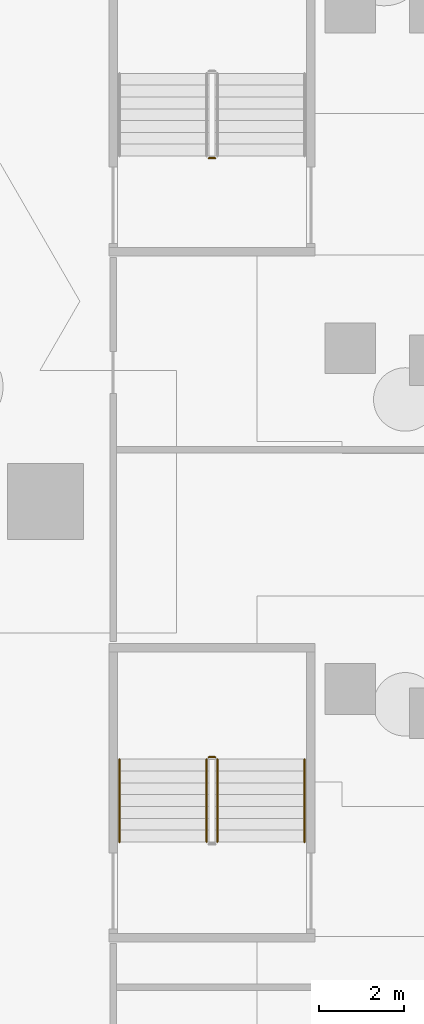
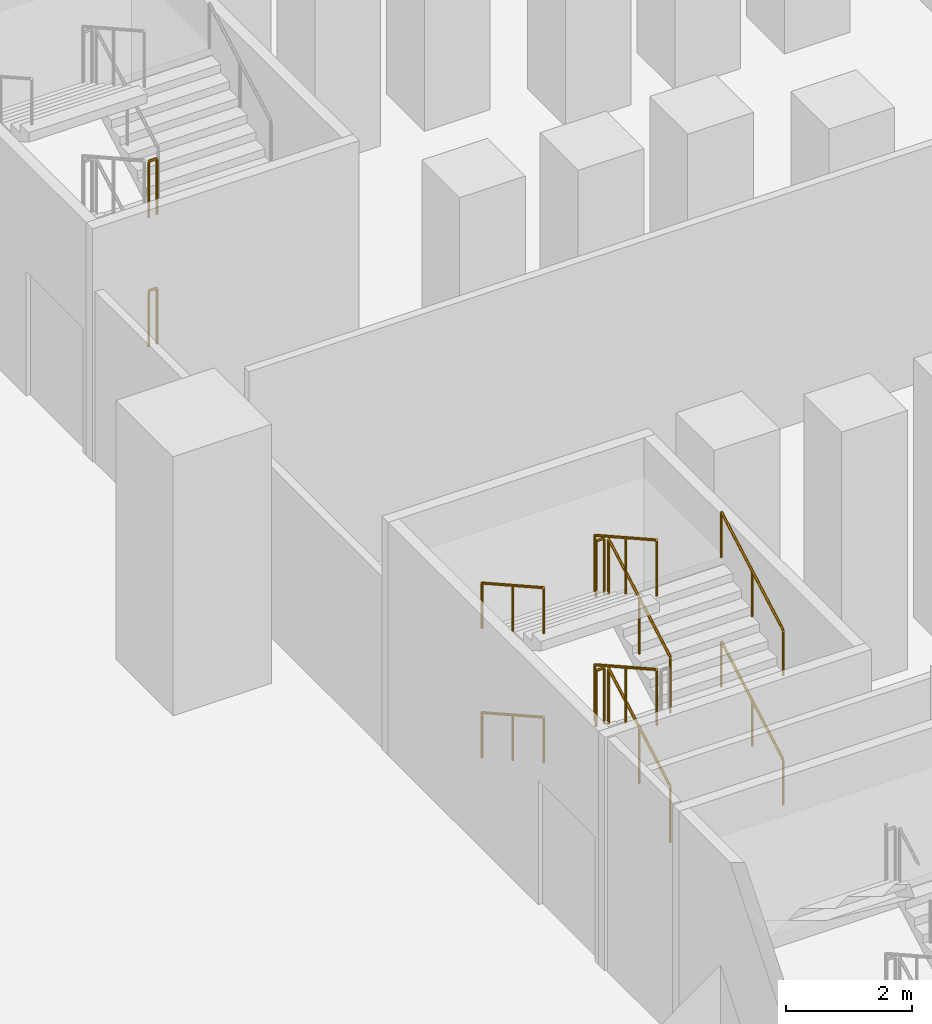
# One storey, part 24 of 27: 12 railings.
"""IFC4 building model written with IfcOpenShell, lengths in metres."""

from ifc_helpers import new_model, si_unit, direction, frame, origin, origin_2d, place, context, subcontext, project, spatial, circle, extrude, material, type_object, element, save


model = new_model("IFC4")

# Units and contexts
model_context = context("Model", 3, precision=1e-05, world=origin(), true_north=direction((0.0, 1.0)))
body_context = subcontext(model_context, "Body", "Model", "MODEL_VIEW")
ifc_project = project(units=[si_unit("LENGTHUNIT", "METRE"), si_unit("AREAUNIT", "SQUARE_METRE"), si_unit("VOLUMEUNIT", "CUBIC_METRE"), si_unit("PLANEANGLEUNIT", "RADIAN"), si_unit("MASSUNIT", "GRAM", prefix="KILO")], contexts=[model_context])

# Site, building, storey
site_placement = place(None, origin())
site = spatial("IfcSite", under=ifc_project, at=site_placement, CompositionType="ELEMENT")
building_placement = place(site_placement, origin())
building = spatial("IfcBuilding", under=site, at=building_placement, Name="Calabash Gate Tower", CompositionType="ELEMENT")
storey_placement = place(building_placement, frame((0.0, 0.0, -10.0)))
storey = spatial("IfcBuildingStorey", under=building, at=storey_placement, Name="B2", CompositionType="ELEMENT", Elevation=-10.0)

# Railings
ifc_material_1 = material(Name="Black powder-coated steel balusters", Category="steel")
railing_type_1 = type_object("IfcRailingType", Name="Stair guard RL1100", PredefinedType="GUARDRAIL", material=ifc_material_1)
railing_1_placement = place(storey_placement, frame((36.06005859375, -0.0400390625, 0.15625)))
element("IfcRailing", 1, at=railing_1_placement, inside=storey, type_object=railing_type_1, Name="B2 PS9 stair guard 1", PredefinedType="GUARDRAIL", context=body_context, shape_type="SweptSolid", body=[
    extrude(circle(Radius=0.02392578125, at=origin_2d()), frame((0.0, 0.0, 1.076171875), z_axis=(0.0, 0.87250601595, 0.488603368932), x_axis=(-1.0, 0.0, 0.0)), (0.0, 0.0, 1.0), 2.238525390625),
    extrude(circle(Radius=0.02099609375, at=origin_2d()), origin(), (0.0, 0.0, 1.0), 1.052001953125),
    extrude(circle(Radius=0.02099609375, at=origin_2d()), frame((0.0, 0.9765625, 0.546875)), (0.0, 0.0, 1.0), 1.052001953125),
    extrude(circle(Radius=0.02099609375, at=origin_2d()), frame((0.0, 1.953125, 1.09375)), (0.0, 0.0, 1.0), 1.052001953125),
])
railing_2_placement = place(storey_placement, frame((36.010009765625, 1.962890625, 1.25)))
element("IfcRailing", 2, at=railing_2_placement, inside=storey, type_object=railing_type_1, Name="B2 PS9 stair guard 2", PredefinedType="GUARDRAIL", context=body_context, shape_type="SweptSolid", body=[
    extrude(circle(Radius=0.02392578125, at=origin_2d()), frame((0.0, 0.0, 1.076171875), z_axis=(-1.0, 0.0, 0.0), x_axis=(0.0, -1.0, 0.0)), (0.0, 0.0, 1.0), 0.14990234375),
    extrude(circle(Radius=0.02099609375, at=origin_2d()), origin(), (0.0, 0.0, 1.0), 1.052001953125),
    extrude(circle(Radius=0.02099609375, at=origin_2d()), frame((-0.14990234375, 0.0, 0.0)), (0.0, 0.0, 1.0), 1.052001953125),
])
railing_3_placement = place(storey_placement, frame((35.81005859375, 1.9130859375, 1.40625)))
element("IfcRailing", 3, at=railing_3_placement, inside=storey, type_object=railing_type_1, Name="B2 PS9 stair guard 3", PredefinedType="GUARDRAIL", context=body_context, shape_type="SweptSolid", body=[
    extrude(circle(Radius=0.02392578125, at=origin_2d()), frame((0.0, 0.0, 1.076171875), z_axis=(0.0, -0.87250601595, 0.488603368932), x_axis=(1.0, 0.0, 0.0)), (0.0, 0.0, 1.0), 2.238525390625),
    extrude(circle(Radius=0.02099609375, at=origin_2d()), origin(), (0.0, 0.0, 1.0), 1.052001953125),
    extrude(circle(Radius=0.02099609375, at=origin_2d()), frame((0.0, -0.9765625, 0.546875)), (0.0, 0.0, 1.0), 1.052001953125),
    extrude(circle(Radius=0.02099609375, at=origin_2d()), frame((0.0, -1.953125, 1.09375)), (0.0, 0.0, 1.0), 1.052001953125),
])
railing_4_placement = place(storey_placement, frame((36.06005859375, -0.0400390625, 2.65625)))
element("IfcRailing", 4, at=railing_4_placement, inside=storey, type_object=railing_type_1, Name="B2 PS9 stair guard 5", PredefinedType="GUARDRAIL", context=body_context, shape_type="SweptSolid", body=[
    extrude(circle(Radius=0.02392578125, at=origin_2d()), frame((0.0, 0.0, 1.076171875), z_axis=(0.0, 0.87250601595, 0.488603368932), x_axis=(-1.0, 0.0, 0.0)), (0.0, 0.0, 1.0), 2.238525390625),
    extrude(circle(Radius=0.02099609375, at=origin_2d()), origin(), (0.0, 0.0, 1.0), 1.052001953125),
    extrude(circle(Radius=0.02099609375, at=origin_2d()), frame((0.0, 0.9765625, 0.546875)), (0.0, 0.0, 1.0), 1.052001953125),
    extrude(circle(Radius=0.02099609375, at=origin_2d()), frame((0.0, 1.953125, 1.09375)), (0.0, 0.0, 1.0), 1.052001953125),
])
railing_5_placement = place(storey_placement, frame((36.010009765625, 1.962890625, 3.75)))
element("IfcRailing", 5, at=railing_5_placement, inside=storey, type_object=railing_type_1, Name="B2 PS9 stair guard 6", PredefinedType="GUARDRAIL", context=body_context, shape_type="SweptSolid", body=[
    extrude(circle(Radius=0.02392578125, at=origin_2d()), frame((0.0, 0.0, 1.076171875), z_axis=(-1.0, 0.0, 0.0), x_axis=(0.0, -1.0, 0.0)), (0.0, 0.0, 1.0), 0.14990234375),
    extrude(circle(Radius=0.02099609375, at=origin_2d()), origin(), (0.0, 0.0, 1.0), 1.052001953125),
    extrude(circle(Radius=0.02099609375, at=origin_2d()), frame((-0.14990234375, 0.0, 0.0)), (0.0, 0.0, 1.0), 1.052001953125),
])
railing_6_placement = place(storey_placement, frame((35.81005859375, 1.9130859375, 3.90625)))
element("IfcRailing", 6, at=railing_6_placement, inside=storey, type_object=railing_type_1, Name="B2 PS9 stair guard 7", PredefinedType="GUARDRAIL", context=body_context, shape_type="SweptSolid", body=[
    extrude(circle(Radius=0.02392578125, at=origin_2d()), frame((0.0, 0.0, 1.076171875), z_axis=(0.0, -0.87250601595, 0.488603368932), x_axis=(1.0, 0.0, 0.0)), (0.0, 0.0, 1.0), 2.238525390625),
    extrude(circle(Radius=0.02099609375, at=origin_2d()), origin(), (0.0, 0.0, 1.0), 1.052001953125),
    extrude(circle(Radius=0.02099609375, at=origin_2d()), frame((0.0, -0.9765625, 0.546875)), (0.0, 0.0, 1.0), 1.052001953125),
    extrude(circle(Radius=0.02099609375, at=origin_2d()), frame((0.0, -1.953125, 1.09375)), (0.0, 0.0, 1.0), 1.052001953125),
])
for number, where, name in (
    (7, (36.010009765625, 16.110107421875, 2.5), "B2 PS10 stair guard 4"),
    (8, (36.010009765625, 16.110107421875, 0.0), "B2 PS10 stair guard 8"),
):
    element("IfcRailing", number, at=place(storey_placement, frame(where)), inside=storey, type_object=railing_type_1, Name=name, PredefinedType="GUARDRAIL", context=body_context, shape_type="SweptSolid", body=[
        extrude(circle(Radius=0.02392578125, at=origin_2d()), frame((0.0, 0.0, 1.076171875), z_axis=(-1.0, 0.0, 0.0), x_axis=(0.0, -1.0, 0.0)), (0.0, 0.0, 1.0), 0.14990234375),
        extrude(circle(Radius=0.02099609375, at=origin_2d()), origin(), (0.0, 0.0, 1.0), 1.052001953125),
        extrude(circle(Radius=0.02099609375, at=origin_2d()), frame((-0.14990234375, 0.0, 0.0)), (0.0, 0.0, 1.0), 1.052001953125),
    ])
ifc_material_2 = material(Name="Black powder-coated steel tube 48 mm", Category="steel")
railing_type_2 = type_object("IfcRailingType", Name="Stair handrail RL900", PredefinedType="HANDRAIL", material=ifc_material_2)
railing_7_placement = place(storey_placement, frame((38.1201171875, -0.0400390625, 0.15625)))
element("IfcRailing", 9, at=railing_7_placement, inside=storey, type_object=railing_type_2, Name="B2 PS9 stair handrail 1", PredefinedType="HANDRAIL", context=body_context, shape_type="SweptSolid", body=[
    extrude(circle(Radius=0.02392578125, at=origin_2d()), frame((0.0, 0.0, 0.8759765625), z_axis=(0.0, 0.87250601595, 0.488603368932), x_axis=(-1.0, 0.0, 0.0)), (0.0, 0.0, 1.0), 2.238525390625),
    extrude(circle(Radius=0.02099609375, at=origin_2d()), origin(), (0.0, 0.0, 1.0), 0.851806640625),
    extrude(circle(Radius=0.02099609375, at=origin_2d()), frame((0.0, 0.9765625, 0.546875)), (0.0, 0.0, 1.0), 0.851806640625),
    extrude(circle(Radius=0.02099609375, at=origin_2d()), frame((0.0, 1.953125, 1.09375)), (0.0, 0.0, 1.0), 0.851806640625),
])
railing_8_placement = place(storey_placement, frame((33.75, 1.9130859375, 1.40625)))
element("IfcRailing", 10, at=railing_8_placement, inside=storey, type_object=railing_type_2, Name="B2 PS9 stair handrail 2", PredefinedType="HANDRAIL", context=body_context, shape_type="SweptSolid", body=[
    extrude(circle(Radius=0.02392578125, at=origin_2d()), frame((0.0, 0.0, 0.8759765625), z_axis=(0.0, -0.87250601595, 0.488603368932), x_axis=(1.0, 0.0, 0.0)), (0.0, 0.0, 1.0), 2.238525390625),
    extrude(circle(Radius=0.02099609375, at=origin_2d()), origin(), (0.0, 0.0, 1.0), 0.851806640625),
    extrude(circle(Radius=0.02099609375, at=origin_2d()), frame((0.0, -0.9765625, 0.546875)), (0.0, 0.0, 1.0), 0.851806640625),
    extrude(circle(Radius=0.02099609375, at=origin_2d()), frame((0.0, -1.953125, 1.09375)), (0.0, 0.0, 1.0), 0.851806640625),
])
railing_9_placement = place(storey_placement, frame((38.1201171875, -0.0400390625, 2.65625)))
element("IfcRailing", 11, at=railing_9_placement, inside=storey, type_object=railing_type_2, Name="B2 PS9 stair handrail 3", PredefinedType="HANDRAIL", context=body_context, shape_type="SweptSolid", body=[
    extrude(circle(Radius=0.02392578125, at=origin_2d()), frame((0.0, 0.0, 0.8759765625), z_axis=(0.0, 0.87250601595, 0.488603368932), x_axis=(-1.0, 0.0, 0.0)), (0.0, 0.0, 1.0), 2.238525390625),
    extrude(circle(Radius=0.02099609375, at=origin_2d()), origin(), (0.0, 0.0, 1.0), 0.851806640625),
    extrude(circle(Radius=0.02099609375, at=origin_2d()), frame((0.0, 0.9765625, 0.546875)), (0.0, 0.0, 1.0), 0.851806640625),
    extrude(circle(Radius=0.02099609375, at=origin_2d()), frame((0.0, 1.953125, 1.09375)), (0.0, 0.0, 1.0), 0.851806640625),
])
railing_10_placement = place(storey_placement, frame((33.75, 1.9130859375, 3.90625)))
element("IfcRailing", 12, at=railing_10_placement, inside=storey, type_object=railing_type_2, Name="B2 PS9 stair handrail 4", PredefinedType="HANDRAIL", context=body_context, shape_type="SweptSolid", body=[
    extrude(circle(Radius=0.02392578125, at=origin_2d()), frame((0.0, 0.0, 0.8759765625), z_axis=(0.0, -0.87250601595, 0.488603368932), x_axis=(1.0, 0.0, 0.0)), (0.0, 0.0, 1.0), 2.238525390625),
    extrude(circle(Radius=0.02099609375, at=origin_2d()), origin(), (0.0, 0.0, 1.0), 0.851806640625),
    extrude(circle(Radius=0.02099609375, at=origin_2d()), frame((0.0, -0.9765625, 0.546875)), (0.0, 0.0, 1.0), 0.851806640625),
    extrude(circle(Radius=0.02099609375, at=origin_2d()), frame((0.0, -1.953125, 1.09375)), (0.0, 0.0, 1.0), 0.851806640625),
])

save(model, "model.ifc")
